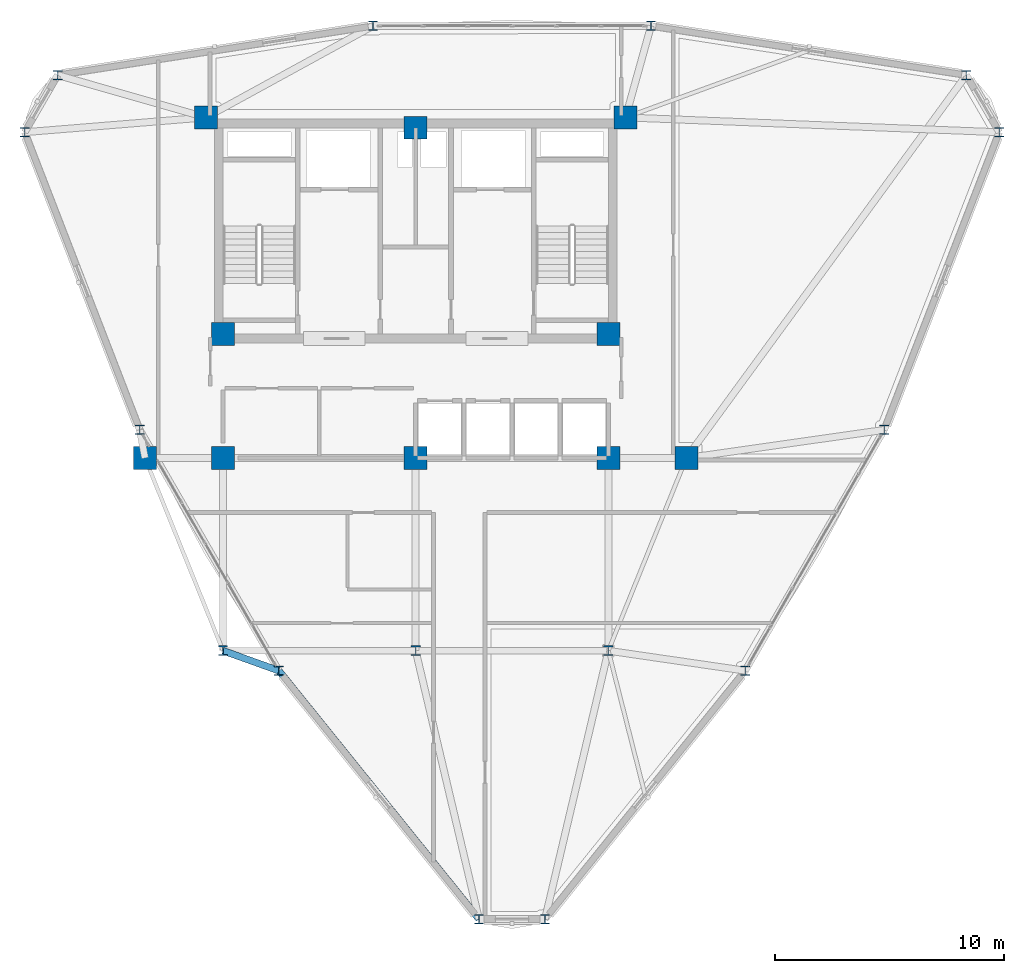
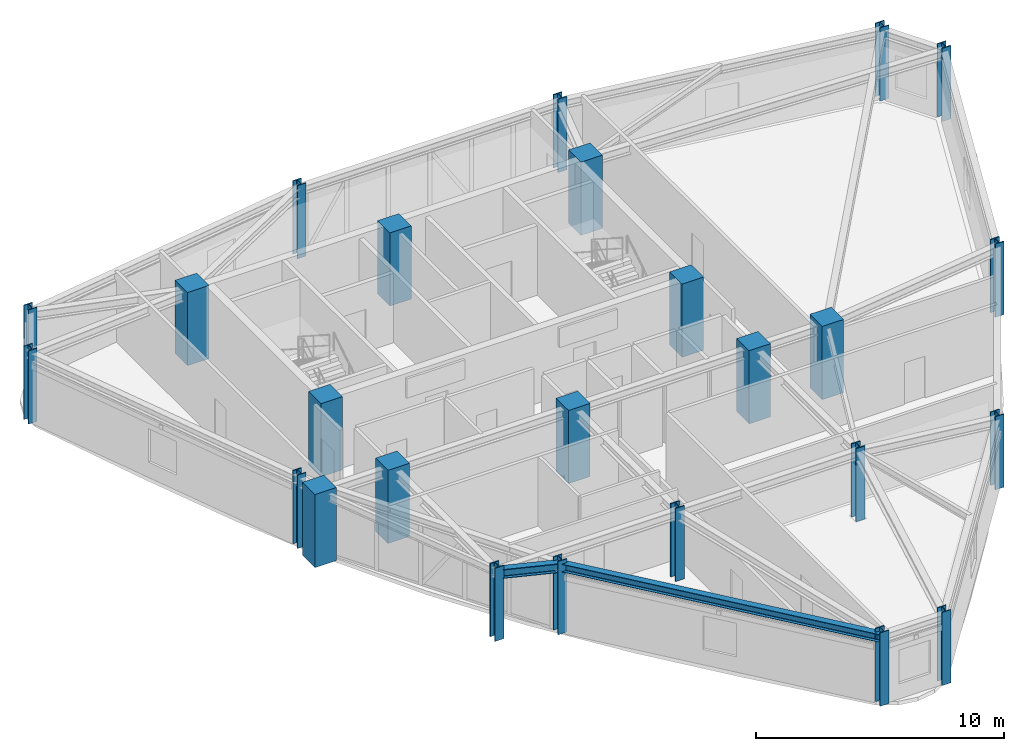
# One storey, part 1 of 16: 25 columns, 2 beams.
"""IFC4 building model written with IfcOpenShell, lengths in metres."""

from ifc_helpers import new_model, si_unit, derived_unit, direction, frame, origin, origin_2d, place, context, subcontext, project, spatial, rectangle, i_section, extrude, source, transform, mapped, material, material_profile, profile_set, type_object, element, save


model = new_model("IFC4")

# Units and contexts
model_context = context("Model", 3, precision=1e-05, world=origin(), true_north=direction((0.0, 1.0)))
body_context = subcontext(model_context, "Body", "Model", "MODEL_VIEW")
ifc_project = project(units=[si_unit("LENGTHUNIT", "METRE"), si_unit("AREAUNIT", "SQUARE_METRE"), si_unit("VOLUMEUNIT", "CUBIC_METRE"), si_unit("PLANEANGLEUNIT", "RADIAN"), si_unit("MASSUNIT", "GRAM", prefix="KILO"), derived_unit("THERMALTRANSMITTANCEUNIT", [(si_unit("POWERUNIT", "WATT"), 1), (si_unit("LENGTHUNIT", "METRE"), -2), (si_unit("THERMODYNAMICTEMPERATUREUNIT", "KELVIN"), -1)])], contexts=[model_context])

# Site, building, storey
site_placement = place(None, origin())
site = spatial("IfcSite", under=ifc_project, at=site_placement, CompositionType="ELEMENT")
building_placement = place(site_placement, origin())
building = spatial("IfcBuilding", under=site, at=building_placement, Name="Korsvarv Bourse and Concert Hall", CompositionType="ELEMENT")
storey_placement = place(building_placement, frame((0.0, 0.0, 227.39990234375)))
storey = spatial("IfcBuildingStorey", under=building, at=storey_placement, Name="L59", CompositionType="ELEMENT", Elevation=227.39990234375)

# Columns
ifc_material_1 = material(Name="Steel S355", Category="steel")
ifc_material_profile_1 = material_profile(ifc_material_1, i_section(OverallWidth=0.412109375, OverallDepth=0.43505859375, WebThickness=0.032958984375, FlangeThickness=0.052978515625, FilletRadius=0.014892578125, at=origin_2d()), Name="HD 400x463")
ifc_profile_set_1 = profile_set([ifc_material_profile_1], Name="Steel S355")
column_type_1 = type_object("IfcColumnType", Name="COL-HD463", PredefinedType="COLUMN", material=ifc_profile_set_1)
shared_shape_1 = source(origin(), body_context, "Body", "SweptSolid", [
    extrude(i_section(OverallWidth=0.412109375, OverallDepth=0.43505859375, WebThickness=0.032958984375, FlangeThickness=0.052978515625, FilletRadius=0.014892578125, at=origin_2d()), origin(), (0.0, 0.0, 1.0), 3.60009765625),
])
for number, where, z_axis, x_axis, name in (
    (1, (27.60009765625, 24.0, 0.0), (0.0, 0.0, 1.0), (1.0, 0.0, 0.0), "L59 column C-09"),
    (2, (44.39990234375, 24.0, 0.0), (0.0, 0.0, 1.0), (1.0, 0.0, 0.0), "L59 column C-09"),
    (3, (36.0, 24.0, 0.0), (0.0, 0.0, 1.0), (1.0, 0.0, 0.0), "L59 column C-09"),
):
    element("IfcColumn", number, at=place(storey_placement, frame(where, z_axis=z_axis, x_axis=x_axis)), inside=storey, type_object=column_type_1, Name=name, PredefinedType="COLUMN", context=body_context, shape_type="MappedRepresentation", body=[
        mapped(shared_shape_1, transform((0.0, 0.0, 0.0), scale=1.0)),
    ])
ifc_material_2 = material(Name="Concrete C55/67", Category="concrete")
ifc_material_profile_2 = material_profile(ifc_material_2, rectangle(XDim=1.0, YDim=1.0, at=origin_2d()), Name="RC 1000x1000")
ifc_profile_set_2 = profile_set([ifc_material_profile_2], Name="Concrete C55/67")
column_type_2 = type_object("IfcColumnType", Name="COL-RC1000", PredefinedType="COLUMN", material=ifc_profile_set_2)
shared_shape_2 = source(origin(), body_context, "Body", "SweptSolid", [
    extrude(rectangle(XDim=1.0, YDim=1.0, at=origin_2d()), origin(), (0.0, 0.0, 1.0), 3.60009765625),
])
for number, where, z_axis, x_axis, name in (
    (4, (26.85009765625, 47.25, 0.0), (0.0, 0.0, 1.0), (1.0, 0.0, 0.0), "L59 column C-03"),
    (5, (45.14990234375, 47.25, 0.0), (0.0, 0.0, 1.0), (1.0, 0.0, 0.0), "L59 column C-03"),
    (6, (27.60009765625, 37.800048828125, 0.0), (0.0, 0.0, 1.0), (1.0, 0.0, 0.0), "L59 column C-03"),
    (7, (44.39990234375, 37.800048828125, 0.0), (0.0, 0.0, 1.0), (1.0, 0.0, 0.0), "L59 column C-03"),
    (8, (27.60009765625, 32.39990234375, 0.0), (0.0, 0.0, 1.0), (1.0, 0.0, 0.0), "L59 column C-03"),
    (9, (44.39990234375, 32.39990234375, 0.0), (0.0, 0.0, 1.0), (1.0, 0.0, 0.0), "L59 column C-03"),
    (10, (36.0, 46.800048828125, 0.0), (0.0, 0.0, 1.0), (1.0, 0.0, 0.0), "L59 column C-03"),
    (11, (36.0, 32.39990234375, 0.0), (0.0, 0.0, 1.0), (1.0, 0.0, 0.0), "L59 column C-03"),
    (12, (24.199951171875, 32.39990234375, 0.0), (0.0, 0.0, 1.0), (1.0, 0.0, 0.0), "L59 column C-03"),
    (13, (47.800048828125, 32.39990234375, 0.0), (0.0, 0.0, 1.0), (1.0, 0.0, 0.0), "L59 column C-03"),
):
    element("IfcColumn", number, at=place(storey_placement, frame(where, z_axis=z_axis, x_axis=x_axis)), inside=storey, type_object=column_type_2, Name=name, PredefinedType="COLUMN", context=body_context, shape_type="MappedRepresentation", body=[
        mapped(shared_shape_2, transform((0.0, 0.0, 0.0), scale=1.0)),
    ])
ifc_material_profile_3 = material_profile(ifc_material_1, i_section(OverallWidth=0.406005859375, OverallDepth=0.416015625, WebThickness=0.027099609375, FlangeThickness=0.0439453125, FilletRadius=0.014892578125, at=origin_2d()), Name="HD 400x382")
ifc_profile_set_3 = profile_set([ifc_material_profile_3], Name="Steel S355")
column_type_3 = type_object("IfcColumnType", Name="COL-HD382", PredefinedType="COLUMN", material=ifc_profile_set_3)
shared_shape_3 = source(origin(), body_context, "Body", "SweptSolid", [
    extrude(i_section(OverallWidth=0.406005859375, OverallDepth=0.416015625, WebThickness=0.027099609375, FlangeThickness=0.0439453125, FilletRadius=0.014892578125, at=origin_2d()), origin(), (0.0, 0.0, 1.0), 3.60009765625),
])
for number, where, z_axis, x_axis, name in (
    (14, (61.447265625, 46.606201171875, 0.0), (0.0, 0.0, 1.0), (1.0, 0.0, 0.0), "L59 column C-10"),
    (15, (60.009033203125, 49.09765625, 0.0), (0.0, 0.0, 1.0), (1.0, 0.0, 0.0), "L59 column C-10"),
    (16, (46.26171875, 51.2412109375, 0.0), (0.0, 0.0, 1.0), (1.0, 0.0, 0.0), "L59 column C-10"),
    (17, (34.13818359375, 51.2412109375, 0.0), (0.0, 0.0, 1.0), (1.0, 0.0, 0.0), "L59 column C-10"),
    (18, (20.39111328125, 49.09765625, 0.0), (0.0, 0.0, 1.0), (1.0, 0.0, 0.0), "L59 column C-10"),
    (19, (18.95263671875, 46.606201171875, 0.0), (0.0, 0.0, 1.0), (1.0, 0.0, 0.0), "L59 column C-10"),
    (20, (23.969970703125, 33.629150390625, 0.0), (0.0, 0.0, 1.0), (1.0, 0.0, 0.0), "L59 column C-10"),
    (21, (30.03173828125, 23.1298828125, 0.0), (0.0, 0.0, 1.0), (1.0, 0.0, 0.0), "L59 column C-10"),
    (22, (38.76171875, 12.296142578125, 0.0), (0.0, 0.0, 1.0), (1.0, 0.0, 0.0), "L59 column C-10"),
    (23, (41.638427734375, 12.296142578125, 0.0), (0.0, 0.0, 1.0), (1.0, 0.0, 0.0), "L59 column C-10"),
    (24, (50.368408203125, 23.1298828125, 0.0), (0.0, 0.0, 1.0), (1.0, 0.0, 0.0), "L59 column C-10"),
    (25, (56.43017578125, 33.629150390625, 0.0), (0.0, 0.0, 1.0), (1.0, 0.0, 0.0), "L59 column C-10"),
):
    element("IfcColumn", number, at=place(storey_placement, frame(where, z_axis=z_axis, x_axis=x_axis)), inside=storey, type_object=column_type_3, Name=name, PredefinedType="COLUMN", context=body_context, shape_type="MappedRepresentation", body=[
        mapped(shared_shape_3, transform((0.0, 0.0, 0.0), scale=1.0)),
    ])

# Beams
ifc_material_profile_4 = material_profile(ifc_material_1, i_section(OverallWidth=0.300048828125, OverallDepth=0.389892578125, WebThickness=0.010986328125, FlangeThickness=0.01904296875, FilletRadius=0.02099609375, at=origin_2d()), Name="HEA 400")
ifc_profile_set_4 = profile_set([ifc_material_profile_4], Name="Steel S355")
beam_type_1 = type_object("IfcBeamType", Name="BM-HEA400", PredefinedType="BEAM", material=ifc_profile_set_4)
shared_shape_4 = source(origin(), body_context, "Body", "SweptSolid", [
    extrude(i_section(OverallWidth=0.300048828125, OverallDepth=0.389892578125, WebThickness=0.010986328125, FlangeThickness=0.01904296875, FilletRadius=0.02099609375, at=origin_2d()), origin(), (0.0, 0.0, 1.0), 13.913330078125),
])
beam_1_placement = place(storey_placement, frame((30.03173828125, 23.1298828125, 3.215087890625), z_axis=(0.627451613124, -0.778655554907, 0.0), x_axis=(0.778655554907, 0.627451613124, 0.0)))
element("IfcBeam", 26, at=beam_1_placement, inside=storey, type_object=beam_type_1, Name="L59 beam B-11", PredefinedType="BEAM", context=body_context, shape_type="MappedRepresentation", body=[
    mapped(shared_shape_4, transform((0.0, 0.0, 0.0), scale=1.0)),
])
ifc_material_profile_5 = material_profile(ifc_material_1, i_section(OverallWidth=0.300048828125, OverallDepth=0.449951171875, WebThickness=0.013916015625, FlangeThickness=0.02587890625, FilletRadius=0.02099609375, at=origin_2d()), Name="HEB 450")
ifc_profile_set_5 = profile_set([ifc_material_profile_5], Name="Steel S355")
beam_type_2 = type_object("IfcBeamType", Name="BM-HEB450", PredefinedType="SPANDREL", material=ifc_profile_set_5)
shared_shape_5 = source(origin(), body_context, "Body", "SweptSolid", [
    extrude(i_section(OverallWidth=0.300048828125, OverallDepth=0.449951171875, WebThickness=0.013916015625, FlangeThickness=0.02587890625, FilletRadius=0.02099609375, at=origin_2d()), origin(), (0.0, 0.0, 1.0), 2.58251953125),
])
beam_2_placement = place(storey_placement, frame((30.03173828125, 23.1298828125, 3.18505859375), z_axis=(-0.941536418254, 0.336911224363, 0.0), x_axis=(-0.336911224363, -0.941536418254, 0.0)))
element("IfcBeam", 27, at=beam_2_placement, inside=storey, type_object=beam_type_2, Name="L59 beam B-08", PredefinedType="SPANDREL", context=body_context, shape_type="MappedRepresentation", body=[
    mapped(shared_shape_5, transform((0.0, 0.0, 0.0), scale=1.0)),
])

save(model, "model.ifc")
